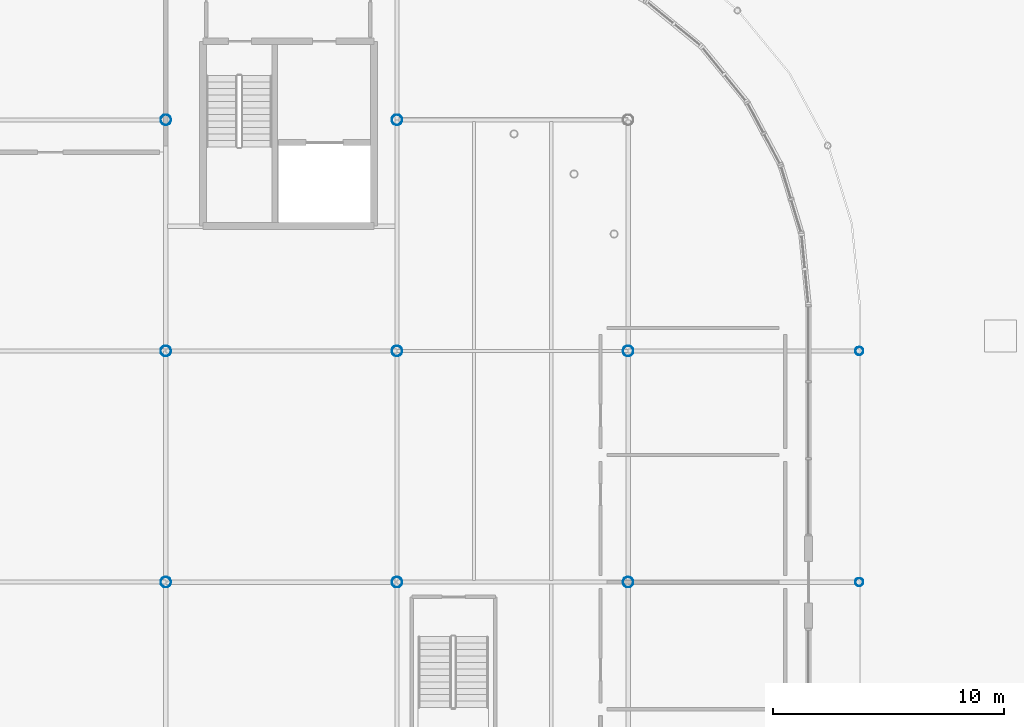
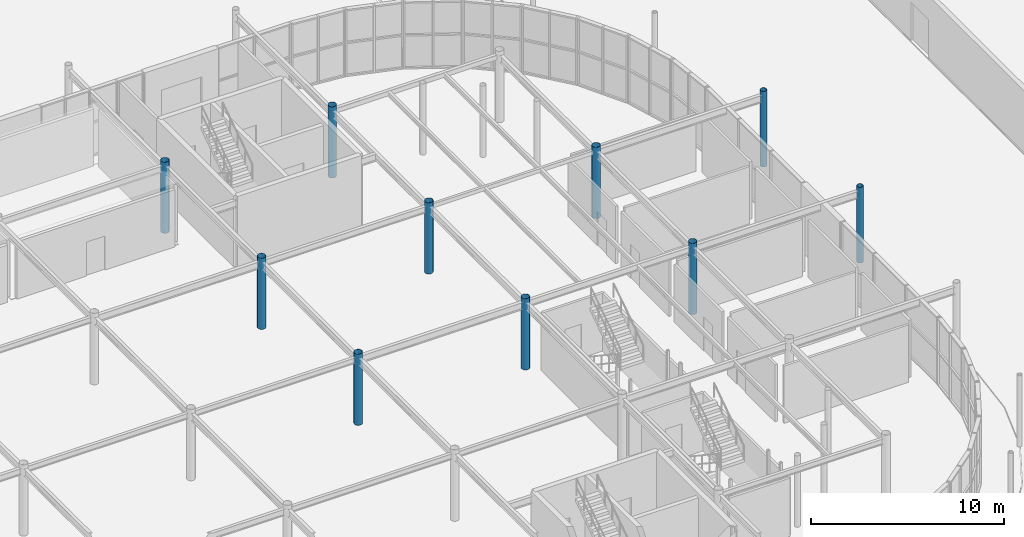
# One storey, part 30 of 119: 10 columns.
"""IFC4 building model written with IfcOpenShell, lengths in metres."""

import ifcopenshell
import ifcopenshell.guid

model = None  # the IFC model being written
_history = None  # IfcOwnerHistory: only IFC2X3 demands one
_inside = {}  # id of a spatial element -> (the spatial element, [elements in it])
_under = {}  # id of a project, library or spatial element -> (it, [spatial elements below it])
_declared = {}  # id of a project -> (the project, [libraries it declares])
_typed = {}  # id of a type object -> (the type object, [elements of that type])
_made_of = {}  # id of a material, layer set ... -> (it, [elements and type objects made of it])


def new_model(schema):
    """Start an empty IFC model of exactly this schema.

    Asked for "IFC4X3", IfcOpenShell would pick the latest addendum, in which some entities
    have other attributes; the version numbers below select the first issue.
    IFC2X3 requires an IfcOwnerHistory on every rooted entity: one is made here for all.
    """
    global model, _history
    if schema == "IFC4X3":
        model = ifcopenshell.file(schema_version=(4, 3, 0, 0))
    else:
        model = ifcopenshell.file(schema=schema)
    _inside.clear()
    _under.clear()
    _declared.clear()
    _typed.clear()
    _made_of.clear()
    _history = None
    if model.schema == "IFC2X3":
        org = make("IfcOrganization", Name="unknown")
        user = make(
            "IfcPersonAndOrganization",
            ThePerson=make("IfcPerson", FamilyName="unknown"),
            TheOrganization=org,
        )
        app = make(
            "IfcApplication",
            ApplicationDeveloper=org,
            Version="unknown",
            ApplicationFullName="unknown",
            ApplicationIdentifier="unknown",
        )
        _history = make(
            "IfcOwnerHistory",
            OwningUser=user,
            OwningApplication=app,
            ChangeAction="ADDED",
            CreationDate=0,
        )
    return model


def make(cls, **values):
    """One entity of the class cls with the attributes given. An attribute that is None is left unset."""
    return model.create_entity(
        cls, **{name: value for name, value in values.items() if value is not None}
    )


def rooted(cls, **values):
    """An entity with a GlobalId (a new one), such as an element, a storey or a relation."""
    return make(cls, GlobalId=ifcopenshell.guid.new(), OwnerHistory=_history, **values)


def si_unit(unit_type, name, prefix=None):
    """IfcSIUnit, for example si_unit("LENGTHUNIT", "METRE", prefix="MILLI")."""
    return make("IfcSIUnit", UnitType=unit_type, Prefix=prefix, Name=name)


def derived_unit(unit_type, elements):
    """IfcDerivedUnit: a product of units, each with its exponent."""
    return make(
        "IfcDerivedUnit",
        Elements=[
            make("IfcDerivedUnitElement", Unit=unit, Exponent=power)
            for unit, power in elements
        ],
        UnitType=unit_type,
    )


def assignment(units):
    """IfcUnitAssignment: the units of a project."""
    return None if units is None else make("IfcUnitAssignment", Units=units)


def point(xyz):
    """IfcCartesianPoint."""
    return None if xyz is None else make("IfcCartesianPoint", Coordinates=xyz)


def direction(xyz):
    """IfcDirection."""
    return None if xyz is None else make("IfcDirection", DirectionRatios=xyz)


def frame(location, z_axis=None, x_axis=None):
    """IfcAxis2Placement3D, a coordinate frame: its origin and axes. An axis left out is left unset."""
    return make(
        "IfcAxis2Placement3D",
        Location=point(location),
        Axis=direction(z_axis),
        RefDirection=direction(x_axis),
    )


def frame_2d(location, x_axis=None):
    """IfcAxis2Placement2D, a coordinate frame in the plane: its origin and x axis."""
    return make(
        "IfcAxis2Placement2D", Location=point(location), RefDirection=direction(x_axis)
    )


def origin():
    """The frame at (0, 0, 0) with its axes left unset."""
    return frame((0.0, 0.0, 0.0))


def origin_2d_with_axis():
    """The frame at (0, 0) in the plane with the x axis (1, 0) written out."""
    return frame_2d((0.0, 0.0), x_axis=(1.0, 0.0))


def place(relative_to, where):
    """IfcLocalPlacement: puts the frame where relative to a parent placement (None: the world)."""
    return make(
        "IfcLocalPlacement", PlacementRelTo=relative_to, RelativePlacement=where
    )


def context(
    kind, dimensions, precision=None, world=None, true_north=None, identifier=None
):
    """IfcGeometricRepresentationContext, for example the 3D "Model" context."""
    return make(
        "IfcGeometricRepresentationContext",
        ContextIdentifier=identifier,
        ContextType=kind,
        CoordinateSpaceDimension=dimensions,
        Precision=precision,
        WorldCoordinateSystem=world,
        TrueNorth=true_north,
    )


def subcontext(parent, identifier, kind, view, scale=None):
    """IfcGeometricRepresentationSubContext, for example "Body" below "Model"."""
    return make(
        "IfcGeometricRepresentationSubContext",
        ContextIdentifier=identifier,
        ContextType=kind,
        ParentContext=parent,
        TargetScale=scale,
        TargetView=view,
    )


def project(units=None, contexts=None):
    """IfcProject with its units and contexts."""
    return rooted(
        "IfcProject",
        Name="project",
        RepresentationContexts=contexts,
        UnitsInContext=assignment(units),
    )


def spatial(cls, under=None, at=None, **own):
    """A site, building, storey or space (cls), placed at a placement, below another one or the project."""
    s = rooted(cls, ObjectPlacement=at, **own)
    if under is not None:
        _under.setdefault(under.id(), (under, []))[1].append(s)
    return s


def profile(cls, at=None, kind="AREA", **sizes):
    """A parametric profile (cls). Its sizes go by their IFC names, for example OverallWidth=200.0."""
    return make(cls, ProfileType=kind, Position=at, **sizes)


def hollow_circle(**sizes):
    """IfcCircleHollowProfileDef."""
    return profile("IfcCircleHollowProfileDef", **sizes)


def extrude(swept, where, along, depth):
    """IfcExtrudedAreaSolid: the profile swept, set in the frame where, extruded along a direction by depth."""
    return make(
        "IfcExtrudedAreaSolid",
        SweptArea=swept,
        Position=where,
        ExtrudedDirection=direction(along),
        Depth=depth,
    )


def shape(context_of_items, identifier, shape_type, items):
    """IfcShapeRepresentation: the items that make up one representation, for example the "Body"."""
    return make(
        "IfcShapeRepresentation",
        ContextOfItems=context_of_items,
        RepresentationIdentifier=identifier,
        RepresentationType=shape_type,
        Items=items,
    )


def material(Name=None, Category=None):
    """IfcMaterial."""
    return make("IfcMaterial", Name=Name, Category=Category)


def material_profile(
    of_material, cross_section, Name=None, Category=None, Priority=None
):
    """IfcMaterialProfile: a cross section and its material."""
    return make(
        "IfcMaterialProfile",
        Name=Name,
        Material=of_material,
        Profile=cross_section,
        Priority=Priority,
        Category=Category,
    )


def profile_set(profiles, Name=None, composite=None):
    """IfcMaterialProfileSet."""
    return make(
        "IfcMaterialProfileSet",
        Name=Name,
        MaterialProfiles=profiles,
        CompositeProfile=composite,
    )


def made_of(thing, what):
    """Note that an element or type object is made of a material, layer set ...; save() writes the relation."""
    if what is not None:
        _made_of.setdefault(what.id(), (what, []))[1].append(thing)
    return thing


def type_object(cls, material=None, **own):
    """A type object (cls), such as IfcWallType, which elements share."""
    return made_of(rooted(cls, **own), material)


def element(
    cls,
    number,
    at=None,
    inside=None,
    cuts=None,
    type_object=None,
    material=None,
    context=None,
    identifier="Body",
    shape_type=None,
    held_by="IfcProductDefinitionShape",
    body=None,
    shapes=None,
    **own,
):
    """One element of the class cls, such as IfcWall. Its Tag is "e" and its number.

    at: its placement. inside: the storey or other place that contains it. cuts: it is an
    opening in that element (IfcRelVoidsElement). A single representation is given by context,
    identifier, shape_type and body (its items); several are given by shapes. held_by: the class
    of the entity that holds the representations. save() writes the other relations.
    """
    e = rooted(cls, Tag="e%d" % number, ObjectPlacement=at, **own)
    if body is not None:
        shapes = [shape(context, identifier, shape_type, body)]
    if shapes is not None:
        e.Representation = make(held_by, Representations=shapes)
    if inside is not None:
        _inside.setdefault(inside.id(), (inside, []))[1].append(e)
    if cuts is not None:
        rooted(
            "IfcRelVoidsElement", RelatingBuildingElement=cuts, RelatedOpeningElement=e
        )
    if type_object is not None:
        _typed.setdefault(type_object.id(), (type_object, []))[1].append(e)
    return made_of(e, material)


def aggregate(whole, parts):
    """IfcRelAggregates: a whole, such as a stair, and the parts it consists of."""
    return rooted("IfcRelAggregates", RelatingObject=whole, RelatedObjects=parts)


def save(model, path):
    """Write the relations noted so far, then the file.

    IfcRelAggregates (storeys below a building ...), IfcRelContainedInSpatialStructure (elements
    in a storey), IfcRelDefinesByType, IfcRelAssociatesMaterial and IfcRelDeclares: one each for
    every whole, place, type object, material and project.
    """
    for whole, parts in _under.values():
        aggregate(whole, parts)
    for where, things in _inside.values():
        rooted(
            "IfcRelContainedInSpatialStructure",
            RelatedElements=things,
            RelatingStructure=where,
        )
    for kind, things in _typed.values():
        rooted("IfcRelDefinesByType", RelatedObjects=things, RelatingType=kind)
    for what, things in _made_of.values():
        rooted("IfcRelAssociatesMaterial", RelatedObjects=things, RelatingMaterial=what)
    for by, libraries in _declared.values():
        rooted("IfcRelDeclares", RelatingContext=by, RelatedDefinitions=libraries)
    model.write(path)


model = new_model("IFC4")

# Units and contexts
model_context = context("Model", 3, precision=1e-05, world=origin(), true_north=direction((0.0, 1.0)))
body_context = subcontext(model_context, "Body", "Model", "MODEL_VIEW")
ifc_project = project(units=[si_unit("LENGTHUNIT", "METRE"), si_unit("AREAUNIT", "SQUARE_METRE"), si_unit("VOLUMEUNIT", "CUBIC_METRE"), si_unit("PLANEANGLEUNIT", "RADIAN"), si_unit("MASSUNIT", "GRAM", prefix="KILO"), derived_unit("THERMALTRANSMITTANCEUNIT", [(si_unit("POWERUNIT", "WATT"), 1), (si_unit("LENGTHUNIT", "METRE"), -2), (si_unit("THERMODYNAMICTEMPERATUREUNIT", "KELVIN"), -1)])], contexts=[model_context])

# Site, building, storey
site_placement = place(None, origin())
site = spatial("IfcSite", under=ifc_project, at=site_placement, CompositionType="ELEMENT")
building_placement = place(site_placement, origin())
building = spatial("IfcBuilding", under=site, at=building_placement, Name="Cinnabar Yard Market Hall", CompositionType="ELEMENT")
storey_placement = place(building_placement, origin())
storey = spatial("IfcBuildingStorey", under=building, at=storey_placement, Name="L00", CompositionType="ELEMENT", Elevation=0.0)

# Columns
ifc_material = material(Name="Spotted-gum glulam-clad steel Grade 350 (350 MPa)", Category="steel")
ifc_material_profile_1 = material_profile(ifc_material, hollow_circle(Radius=0.228515625, WallThickness=0.0126953125, at=origin_2d_with_axis()), Name="457.0x12.7CHS")
ifc_profile_set_1 = profile_set([ifc_material_profile_1], Name="Spotted-gum glulam-clad steel Grade 350 (350 MPa)")
column_type_1 = type_object("IfcColumnType", Name="COL-C01", PredefinedType="COLUMN", material=ifc_profile_set_1)
for number, where, z_axis, x_axis, name in (
    (1, (136.0, 44.0, 0.0), (0.0, 0.0, 1.0), (1.0, 0.0, 0.0), "Tree Column V1I-07-03 L00"),
    (2, (136.0, 54.0, 0.0), (0.0, 0.0, 1.0), (1.0, 0.0, 0.0), "Tree Column V1I-07-04 L00"),
    (3, (136.0, 64.0, 0.0), (0.0, 0.0, 1.0), (1.0, 0.0, 0.0), "Tree Column V1I-07-05 L00"),
    (4, (146.0, 44.0, 0.0), (0.0, 0.0, 1.0), (1.0, 0.0, 0.0), "Tree Column V1I-08-03 L00"),
    (5, (146.0, 54.0, 0.0), (0.0, 0.0, 1.0), (1.0, 0.0, 0.0), "Tree Column V1I-08-04 L00"),
    (6, (146.0, 64.0, 0.0), (0.0, 0.0, 1.0), (1.0, 0.0, 0.0), "Tree Column V1I-08-05 L00"),
    (7, (156.0, 44.0, 0.0), (0.0, 0.0, 1.0), (1.0, 0.0, 0.0), "Tree Column V1I-09-03 L00"),
    (8, (156.0, 54.0, 0.0), (0.0, 0.0, 1.0), (1.0, 0.0, 0.0), "Tree Column V1I-09-04 L00"),
):
    element("IfcColumn", number, at=place(storey_placement, frame(where, z_axis=z_axis, x_axis=x_axis)), inside=storey, type_object=column_type_1, Name=name, PredefinedType="COLUMN", context=body_context, shape_type="SweptSolid", body=[
        extrude(hollow_circle(Radius=0.228515625, WallThickness=0.0126953125, at=origin_2d_with_axis()), origin(), (0.0, 0.0, 1.0), 4.5),
    ])
ifc_material_profile_2 = material_profile(ifc_material, hollow_circle(Radius=0.177734375, WallThickness=0.0126953125, at=origin_2d_with_axis()), Name="355.6x12.7CHS")
ifc_profile_set_2 = profile_set([ifc_material_profile_2], Name="Spotted-gum glulam-clad steel Grade 350 (350 MPa)")
column_type_2 = type_object("IfcColumnType", Name="COL-C02E", PredefinedType="COLUMN", material=ifc_profile_set_2)
for number, where, z_axis, x_axis, name in (
    (9, (166.0, 44.0, -0.280029296875), (0.0, 0.0, 1.0), (1.0, 0.0, 0.0), "Tree Column V1E-02 L00"),
    (10, (166.0, 54.0, -0.280029296875), (0.0, 0.0, 1.0), (1.0, 0.0, 0.0), "Tree Column V1E-03 L00"),
):
    element("IfcColumn", number, at=place(storey_placement, frame(where, z_axis=z_axis, x_axis=x_axis)), inside=storey, type_object=column_type_2, Name=name, PredefinedType="COLUMN", context=body_context, shape_type="SweptSolid", body=[
        extrude(hollow_circle(Radius=0.177734375, WallThickness=0.0126953125, at=origin_2d_with_axis()), origin(), (0.0, 0.0, 1.0), 4.780029296875),
    ])

save(model, "model.ifc")
